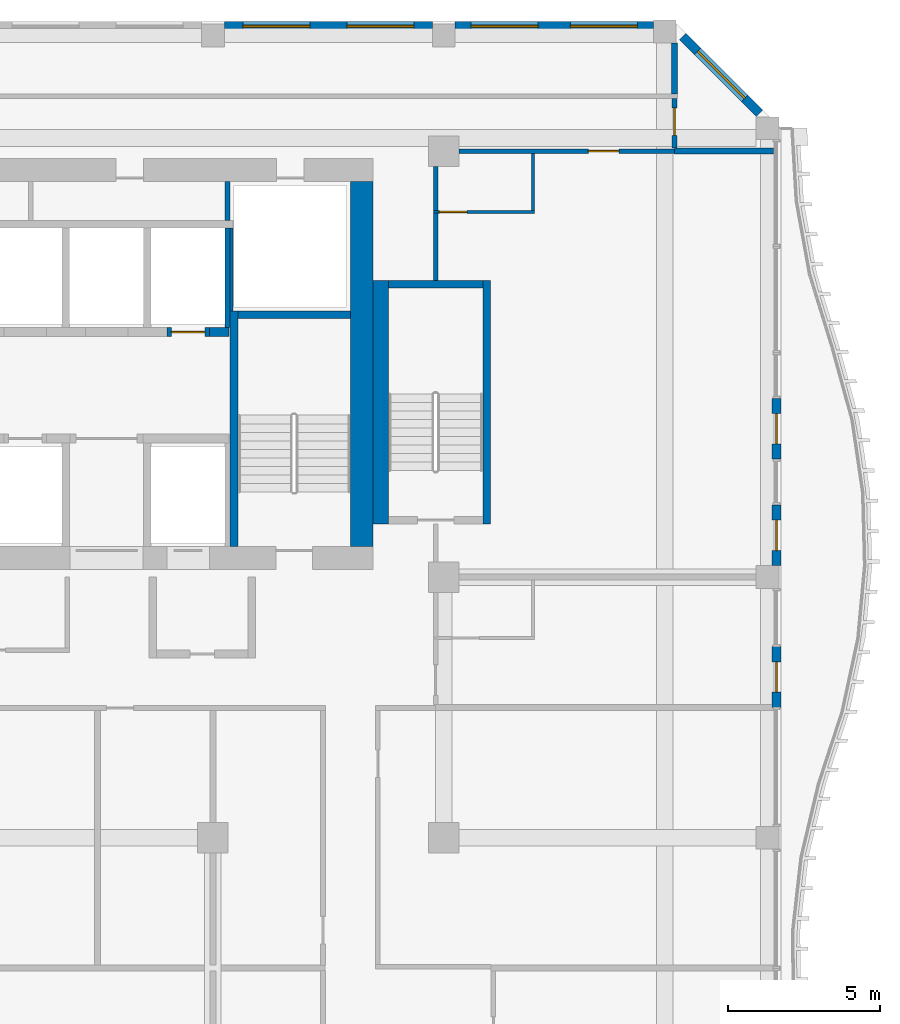
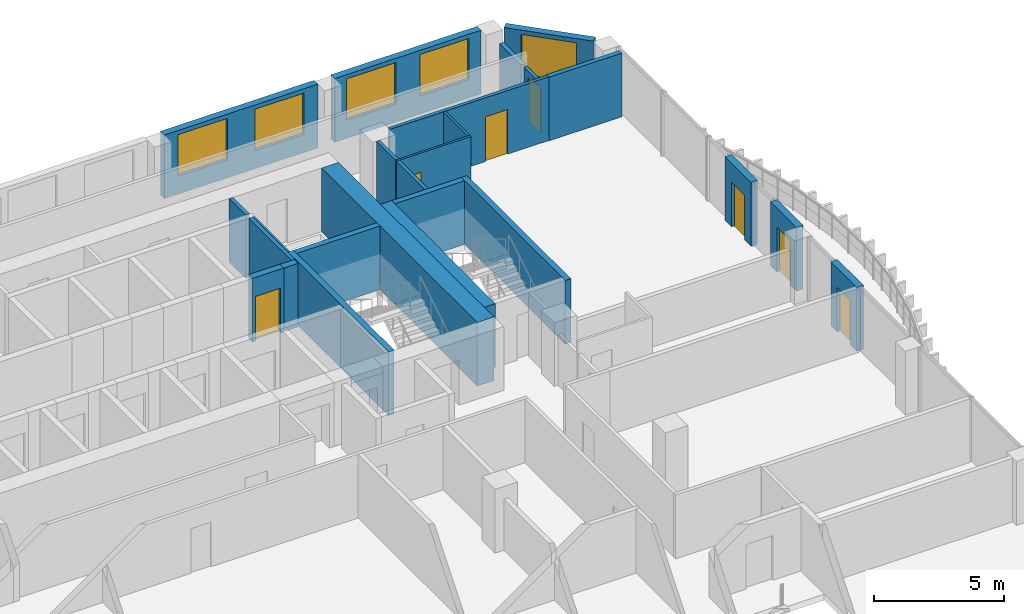
# One storey, part 16 of 22: 25 walls, 7 doors, 5 windows, 12 openings.
"""IFC4 building model written with IfcOpenShell, lengths in metres."""

from ifc_helpers import new_model, si_unit, direction, frame, frame_2d, origin, place, context, subcontext, project, spatial, rectangle, extrude, source, transform, mapped, material, layer, layer_set, type_object, element, fill, save


model = new_model("IFC4")

# Units and contexts
model_context = context("Model", 3, precision=1e-05, world=origin(), true_north=direction((0.0, 1.0)))
body_context = subcontext(model_context, "Body", "Model", "MODEL_VIEW")
ifc_project = project(units=[si_unit("LENGTHUNIT", "METRE"), si_unit("AREAUNIT", "SQUARE_METRE"), si_unit("VOLUMEUNIT", "CUBIC_METRE"), si_unit("PLANEANGLEUNIT", "RADIAN"), si_unit("MASSUNIT", "GRAM", prefix="KILO")], contexts=[model_context])

# Site, building, storey
site_placement = place(None, origin())
site = spatial("IfcSite", under=ifc_project, at=site_placement, CompositionType="ELEMENT")
building_placement = place(site_placement, origin())
building = spatial("IfcBuilding", under=site, at=building_placement, Name="Kilnfold Tower and Market Hall", CompositionType="ELEMENT")
storey_placement = place(building_placement, frame((0.0, 0.0, 220.300048828125)))
storey = spatial("IfcBuildingStorey", under=building, at=storey_placement, Name="L54", CompositionType="ELEMENT", Elevation=220.300048828125)

# Wall
ifc_material_1 = material(Name="Gypsum board on steel studs", Category="steel")
ifc_layer_1 = layer(ifc_material_1, 0.14990234375)
ifc_layer_set_1 = layer_set([ifc_layer_1], Name="Gypsum board on steel studs")
wall_type_1 = type_object("IfcWallType", Name="WALL CORRIDOR 150", PredefinedType="PARTITIONING", material=ifc_layer_set_1)
wall_1_placement = place(storey_placement, frame((19.89990234375, 17.75, 0.0), z_axis=(0.0, 0.0, 1.0), x_axis=(0.0, 1.0, 0.0)))
element("IfcWall", 1, at=wall_1_placement, inside=storey, type_object=wall_type_1, Name="Partition LY32.20", PredefinedType="PARTITIONING", context=body_context, shape_type="SweptSolid", body=[
    extrude(rectangle(XDim=2.2099609375, YDim=0.14990234375, at=frame_2d((1.10498046875, 0.0))), origin(), (0.0, 0.0, 1.0), 3.0),
])

# Wall, opening, door
wall_2_placement = place(storey_placement, frame((20.6669921875, 22.0, 0.0), z_axis=(0.0, 0.0, 1.0), x_axis=(1.0, 0.0, 0.0)))
wall_2 = element("IfcWall", 2, at=wall_2_placement, inside=storey, type_object=wall_type_1, Name="Partition LY32.22", PredefinedType="PARTITIONING", context=body_context, shape_type="SweptSolid", body=[
    extrude(rectangle(XDim=7.0830078125, YDim=0.14990234375, at=frame_2d((3.54150390625, 0.0))), origin(), (0.0, 0.0, 1.0), 3.0),
])
opening_1_placement = place(wall_2_placement, frame((4.25390625, 0.0, 0.0)))
opening_1 = element("IfcOpeningElement", 3, at=opening_1_placement, cuts=wall_2, Name="Opening D1", PredefinedType="OPENING", context=body_context, shape_type="SweptSolid", body=[
    extrude(rectangle(XDim=1.0, YDim=2.10009765625, at=frame_2d((0.5, 1.050048828125))), frame((0.0, 0.0849609375, 0.0), z_axis=(0.0, -1.0, 0.0), x_axis=(1.0, 0.0, 0.0)), (0.0, 0.0, 1.0), 0.169921875),
])
ifc_material_2 = material(Name="Timber veneer door leaf in steel frame", Category="steel")
door_type_1 = type_object("IfcDoorType", Name="DOOR ENTRY 1000 X2100", OperationType="NOTDEFINED", PredefinedType="DOOR", material=ifc_material_2)
door_1_placement = place(opening_1_placement, origin())
door_1 = element("IfcDoor", 4, at=door_1_placement, inside=storey, type_object=door_type_1, Name="Door D1", OperationType="SINGLE_SWING_LEFT", OverallHeight=2.10009765625, OverallWidth=1.0, PredefinedType="DOOR", context=body_context, shape_type="SweptSolid", body=[
    extrude(rectangle(XDim=1.0, YDim=2.10009765625, at=frame_2d((0.5, 1.050048828125))), frame((0.0, 0.02490234375, 0.0), z_axis=(0.0, -1.0, 0.0), x_axis=(1.0, 0.0, 0.0)), (0.0, 0.0, 1.0), 0.050048828125),
])
fill(opening_1, door_1)

# Wall
wall_3_placement = place(storey_placement, frame((19.89990234375, 20.0400390625, 0.0), z_axis=(0.0, 0.0, 1.0), x_axis=(0.0, 1.0, 0.0)))
element("IfcWall", 5, at=wall_3_placement, inside=storey, type_object=wall_type_1, Name="Partition LY32.23", PredefinedType="PARTITIONING", context=body_context, shape_type="SweptSolid", body=[
    extrude(rectangle(XDim=1.4599609375, YDim=0.14990234375, at=frame_2d((0.72998046875, 0.0))), origin(), (0.0, 0.0, 1.0), 3.0),
])

# Wall, opening, door
wall_4_placement = place(storey_placement, frame((27.75, 22.10009765625, 0.0), z_axis=(0.0, 0.0, 1.0), x_axis=(0.0, 1.0, 0.0)))
wall_4 = element("IfcWall", 6, at=wall_4_placement, inside=storey, type_object=wall_type_1, Name="Partition LY32.24", PredefinedType="PARTITIONING", context=body_context, shape_type="SweptSolid", body=[
    extrude(rectangle(XDim=1.625, YDim=0.14990234375, at=frame_2d((0.8125, 0.0))), origin(), (0.0, 0.0, 1.0), 2.39990234375),
])
opening_2_placement = place(wall_4_placement, frame((0.4169921875, 0.0, 0.0)))
opening_2 = element("IfcOpeningElement", 7, at=opening_2_placement, cuts=wall_4, Name="Opening D2", PredefinedType="OPENING", context=body_context, shape_type="SweptSolid", body=[
    extrude(rectangle(XDim=0.89990234375, YDim=2.10009765625, at=frame_2d((0.449951171875, 1.050048828125))), frame((0.0, 0.0849609375, 0.0), z_axis=(0.0, -1.0, 0.0), x_axis=(1.0, 0.0, 0.0)), (0.0, 0.0, 1.0), 0.169921875),
])
ifc_material_3 = material(Name="Timber veneer door leaf in steel frame", Category="steel")
door_type_2 = type_object("IfcDoorType", Name="DOOR ROOM 900 X2100", OperationType="NOTDEFINED", PredefinedType="DOOR", material=ifc_material_3)
door_2_placement = place(opening_2_placement, origin())
door_2 = element("IfcDoor", 8, at=door_2_placement, inside=storey, type_object=door_type_2, Name="Door D2", OperationType="SINGLE_SWING_LEFT", OverallHeight=2.10009765625, OverallWidth=0.89990234375, PredefinedType="DOOR", context=body_context, shape_type="SweptSolid", body=[
    extrude(rectangle(XDim=0.89990234375, YDim=2.10009765625, at=frame_2d((0.449951171875, 1.050048828125))), frame((0.0, 0.02490234375, 0.0), z_axis=(0.0, -1.0, 0.0), x_axis=(1.0, 0.0, 0.0)), (0.0, 0.0, 1.0), 0.050048828125),
])
fill(opening_2, door_2)

# Wall
ifc_material_4 = material(Name="Gypsum board on steel studs", Category="steel")
ifc_layer_2 = layer(ifc_material_4, 0.10009765625)
ifc_layer_set_2 = layer_set([ifc_layer_2], Name="Gypsum board on steel studs")
wall_type_2 = type_object("IfcWallType", Name="WALL PARTITION 100", PredefinedType="PARTITIONING", material=ifc_layer_set_2)
wall_5_placement = place(storey_placement, frame((23.10205078125, 20.050048828125, 0.0), z_axis=(0.0, 0.0, 1.0), x_axis=(0.0, 1.0, 0.0)))
element("IfcWall", 9, at=wall_5_placement, inside=storey, type_object=wall_type_2, Name="Partition LY32.81", PredefinedType="PARTITIONING", context=body_context, shape_type="SweptSolid", body=[
    extrude(rectangle(XDim=1.873046875, YDim=0.10009765625, at=frame_2d((0.9365234375, 0.0))), origin(), (0.0, 0.0, 1.0), 3.0),
])

# Wall, opening, door
wall_6_placement = place(storey_placement, frame((23.152099609375, 20.0, 0.0), z_axis=(0.0, 0.0, 1.0), x_axis=(-1.0, 0.0, 0.0)))
wall_6 = element("IfcWall", 10, at=wall_6_placement, inside=storey, type_object=wall_type_2, Name="Partition LY32.82", PredefinedType="PARTITIONING", context=body_context, shape_type="SweptSolid", body=[
    extrude(rectangle(XDim=3.3251953125, YDim=0.10009765625, at=frame_2d((1.66259765625, 0.0))), origin(), (0.0, 0.0, 1.0), 3.0),
])
opening_3_placement = place(wall_6_placement, frame((2.22509765625, 0.0, 0.0)))
opening_3 = element("IfcOpeningElement", 11, at=opening_3_placement, cuts=wall_6, Name="Opening D3", PredefinedType="OPENING", context=body_context, shape_type="SweptSolid", body=[
    extrude(rectangle(XDim=0.89990234375, YDim=2.10009765625, at=frame_2d((0.449951171875, 1.050048828125))), frame((0.0, 0.06005859375, 0.0), z_axis=(0.0, -1.0, 0.0), x_axis=(1.0, 0.0, 0.0)), (0.0, 0.0, 1.0), 0.1201171875),
])
ifc_material_5 = material(Name="Timber veneer door leaf in steel frame", Category="steel")
door_type_3 = type_object("IfcDoorType", Name="DOOR WC 900 X2100", OperationType="NOTDEFINED", PredefinedType="DOOR", material=ifc_material_5)
door_3_placement = place(opening_3_placement, origin())
door_3 = element("IfcDoor", 12, at=door_3_placement, inside=storey, type_object=door_type_3, Name="Door D3", OperationType="SINGLE_SWING_LEFT", OverallHeight=2.10009765625, OverallWidth=0.89990234375, PredefinedType="DOOR", context=body_context, shape_type="SweptSolid", body=[
    extrude(rectangle(XDim=0.89990234375, YDim=2.10009765625, at=frame_2d((0.449951171875, 1.050048828125))), frame((0.0, 0.02490234375, 0.0), z_axis=(0.0, -1.0, 0.0), x_axis=(1.0, 0.0, 0.0)), (0.0, 0.0, 1.0), 0.050048828125),
])
fill(opening_3, door_3)

# Walls
ifc_material_6 = material(Name="Gypsum board on steel studs", Category="steel")
ifc_layer_3 = layer(ifc_material_6, 0.199951171875)
ifc_layer_set_3 = layer_set([ifc_layer_3], Name="Gypsum board on steel studs")
wall_type_3 = type_object("IfcWallType", Name="WALL PARTY 200", PredefinedType="PARTITIONING", material=ifc_layer_set_3)
wall_7_placement = place(storey_placement, frame((27.751953125, 22.0, 0.0), z_axis=(0.0, 0.0, 1.0), x_axis=(1.0, 0.0, 0.0)))
element("IfcWall", 13, at=wall_7_placement, inside=storey, type_object=wall_type_3, Name="Partition LY32.83", PredefinedType="PARTITIONING", context=body_context, shape_type="SweptSolid", body=[
    extrude(rectangle(XDim=3.248046875, YDim=0.199951171875, at=frame_2d((1.6240234375, 0.0))), origin(), (0.0, 0.0, 1.0), 3.0),
])
wall_8_placement = place(storey_placement, frame((27.75, 25.556884765625, 0.0), z_axis=(0.0, 0.0, 1.0), x_axis=(0.0, -1.0, 0.0)))
element("IfcWall", 14, at=wall_8_placement, inside=storey, type_object=wall_type_3, Name="Partition LY32.84", PredefinedType="PARTITIONING", context=body_context, shape_type="SweptSolid", body=[
    extrude(rectangle(XDim=1.679931640625, YDim=0.199951171875, at=frame_2d((0.83984375, 0.0))), origin(), (0.0, 0.0, 1.0), 2.39990234375),
])
ifc_material_7 = material(Name="Concrete C60", Category="concrete")
ifc_layer_4 = layer(ifc_material_7, 0.25)
ifc_layer_set_4 = layer_set([ifc_layer_4], Name="Concrete C60")
wall_type_4 = type_object("IfcWallType", Name="CORE WALL 250 C60", PredefinedType="SHEAR", material=ifc_layer_set_4)
shared_shape_1 = source(origin(), body_context, "Body", "SweptSolid", [
    extrude(rectangle(XDim=7.75, YDim=0.25, at=frame_2d((3.875, 0.0))), origin(), (0.0, 0.0, 1.0), 3.0),
])
wall_9_placement = place(storey_placement, frame((13.27490234375, 9.0, 0.0), z_axis=(0.0, 0.0, 1.0), x_axis=(0.0, 1.0, 0.0)))
element("IfcWall", 15, at=wall_9_placement, inside=storey, type_object=wall_type_4, Name="Stair enclosure ST2", PredefinedType="SHEAR", context=body_context, shape_type="MappedRepresentation", body=[
    mapped(shared_shape_1, transform((0.0, 0.0, 0.0))),
])
shared_shape_2 = source(origin(), body_context, "Body", "SweptSolid", [
    extrude(rectangle(XDim=3.7001953125, YDim=0.25, at=frame_2d((1.85009765625, 0.0))), origin(), (0.0, 0.0, 1.0), 3.0),
])
wall_10_placement = place(storey_placement, frame((13.39990234375, 16.625, 0.0), z_axis=(0.0, 0.0, 1.0), x_axis=(1.0, 0.0, 0.0)))
element("IfcWall", 16, at=wall_10_placement, inside=storey, type_object=wall_type_4, Name="Stair enclosure ST2", PredefinedType="SHEAR", context=body_context, shape_type="MappedRepresentation", body=[
    mapped(shared_shape_2, transform((0.0, 0.0, 0.0))),
])
shared_shape_3 = source(origin(), body_context, "Body", "SweptSolid", [
    extrude(rectangle(XDim=8.0, YDim=0.25, at=frame_2d((4.0, 0.0))), origin(), (0.0, 0.0, 1.0), 3.0),
])
wall_11_placement = place(storey_placement, frame((21.574951171875, 9.75, 0.0), z_axis=(0.0, 0.0, 1.0), x_axis=(0.0, 1.0, 0.0)))
element("IfcWall", 17, at=wall_11_placement, inside=storey, type_object=wall_type_4, Name="Stair enclosure ST5", PredefinedType="SHEAR", context=body_context, shape_type="MappedRepresentation", body=[
    mapped(shared_shape_3, transform((0.0, 0.0, 0.0))),
])
shared_shape_4 = source(origin(), body_context, "Body", "SweptSolid", [
    extrude(rectangle(XDim=3.099853515625, YDim=0.25, at=frame_2d((1.5498046875, 0.0))), origin(), (0.0, 0.0, 1.0), 3.0),
])
wall_12_placement = place(storey_placement, frame((18.35009765625, 17.625, 0.0), z_axis=(0.0, 0.0, 1.0), x_axis=(1.0, 0.0, 0.0)))
element("IfcWall", 18, at=wall_12_placement, inside=storey, type_object=wall_type_4, Name="Stair enclosure ST5", PredefinedType="SHEAR", context=body_context, shape_type="MappedRepresentation", body=[
    mapped(shared_shape_4, transform((0.0, 0.0, 0.0))),
])
ifc_material_8 = material(Name="Concrete C60", Category="concrete")
ifc_layer_5 = layer(ifc_material_8, 0.300048828125)
ifc_layer_set_5 = layer_set([ifc_layer_5], Name="Concrete C60")
wall_type_5 = type_object("IfcWallType", Name="CORE WALL 300 C60", PredefinedType="SHEAR", material=ifc_layer_set_5)
shared_shape_5 = source(origin(), body_context, "Body", "SweptSolid", [
    extrude(rectangle(XDim=0.64013671875, YDim=0.300048828125, at=frame_2d((0.320068359375, 0.0))), origin(), (0.0, 0.0, 1.0), 3.0),
])
wall_13_placement = place(storey_placement, frame((12.469970703125, 16.050048828125, 0.0), z_axis=(0.0, 0.0, 1.0), x_axis=(1.0, 0.0, 0.0)))
element("IfcWall", 19, at=wall_13_placement, inside=storey, type_object=wall_type_5, Name="Core spine wall", PredefinedType="SHEAR", context=body_context, shape_type="MappedRepresentation", body=[
    mapped(shared_shape_5, transform((0.0, 0.0, 0.0))),
])
ifc_material_9 = material(Name="Concrete C60", Category="concrete")
ifc_layer_6 = layer(ifc_material_9, 0.75)
ifc_layer_set_6 = layer_set([ifc_layer_6], Name="Concrete C60")
wall_type_6 = type_object("IfcWallType", Name="CORE WALL 750 C60", PredefinedType="SHEAR", material=ifc_layer_set_6)
shared_shape_6 = source(origin(), body_context, "Body", "SweptSolid", [
    extrude(rectangle(XDim=12.0, YDim=0.75, at=frame_2d((6.0, 0.0))), origin(), (0.0, 0.0, 1.0), 3.0),
])
wall_14_placement = place(storey_placement, frame((17.47509765625, 9.0, 0.0), z_axis=(0.0, 0.0, 1.0), x_axis=(0.0, 1.0, 0.0)))
element("IfcWall", 20, at=wall_14_placement, inside=storey, type_object=wall_type_6, Name="Core outer wall east", PredefinedType="SHEAR", context=body_context, shape_type="MappedRepresentation", body=[
    mapped(shared_shape_6, transform((0.0, 0.0, 0.0))),
])
ifc_material_10 = material(Name="Concrete C60", Category="concrete")
ifc_layer_7 = layer(ifc_material_10, 0.5)
ifc_layer_set_7 = layer_set([ifc_layer_7], Name="Concrete C60")
wall_type_7 = type_object("IfcWallType", Name="CORE WALL 500 C60", PredefinedType="SHEAR", material=ifc_layer_set_7)
shared_shape_7 = source(origin(), body_context, "Body", "SweptSolid", [
    extrude(rectangle(XDim=8.0, YDim=0.5, at=frame_2d((4.0, 0.0))), origin(), (0.0, 0.0, 1.0), 3.0),
])
wall_15_placement = place(storey_placement, frame((18.10009765625, 9.75, 0.0), z_axis=(0.0, 0.0, 1.0), x_axis=(0.0, 1.0, 0.0)))
element("IfcWall", 21, at=wall_15_placement, inside=storey, type_object=wall_type_7, Name="Stair enclosure ST5", PredefinedType="SHEAR", context=body_context, shape_type="MappedRepresentation", body=[
    mapped(shared_shape_7, transform((0.0, 0.0, 0.0))),
])

# Wall, opening, door
ifc_material_11 = material(Name="Precast concrete C50/60", Category="concrete")
ifc_layer_8 = layer(ifc_material_11, 0.300048828125)
ifc_layer_set_8 = layer_set([ifc_layer_8], Name="Precast concrete C50/60")
wall_type_8 = type_object("IfcWallType", Name="PRECAST WALL 300", PredefinedType="SOLIDWALL", material=ifc_layer_set_8)
shared_shape_8 = source(origin(), body_context, "Body", "SweptSolid", [
    extrude(rectangle(XDim=2.0, YDim=0.300048828125, at=frame_2d((1.0, 0.0))), origin(), (0.0, 0.0, 1.0), 3.0),
])
wall_16_placement = place(storey_placement, frame((31.10009765625, 3.71875, 0.0), z_axis=(0.0, 0.0, 1.0), x_axis=(0.0, 1.0, 0.0)))
wall_16 = element("IfcWall", 22, at=wall_16_placement, inside=storey, type_object=wall_type_8, Name="External wall L54 E", PredefinedType="SOLIDWALL", context=body_context, shape_type="MappedRepresentation", body=[
    mapped(shared_shape_8, transform((0.0, 0.0, 0.0))),
])
opening_4_placement = place(wall_16_placement, frame((0.5, 0.0, 0.0)))
opening_4 = element("IfcOpeningElement", 23, at=opening_4_placement, cuts=wall_16, Name="Opening BD1", PredefinedType="OPENING", context=body_context, shape_type="SweptSolid", body=[
    extrude(rectangle(XDim=1.0, YDim=2.10009765625, at=frame_2d((0.5, 1.050048828125))), frame((0.0, 0.16015625, 0.0), z_axis=(0.0, -1.0, 0.0), x_axis=(1.0, 0.0, 0.0)), (0.0, 0.0, 1.0), 0.320068359375),
])
ifc_material_12 = material(Name="Aluminium frame and double glazing", Category="aluminium")
door_type_4 = type_object("IfcDoorType", Name="BALCONY DOOR 1000X2100", OperationType="NOTDEFINED", PredefinedType="DOOR", material=ifc_material_12)
door_4_placement = place(opening_4_placement, origin())
door_4 = element("IfcDoor", 24, at=door_4_placement, inside=storey, type_object=door_type_4, Name="Balcony door BD1 L54 E-2", OperationType="SINGLE_SWING_RIGHT", OverallHeight=2.10009765625, OverallWidth=1.0, PredefinedType="DOOR", context=body_context, shape_type="SweptSolid", body=[
    extrude(rectangle(XDim=1.0, YDim=2.10009765625, at=frame_2d((0.5, 1.050048828125))), frame((0.0, 0.02490234375, 0.0), z_axis=(0.0, -1.0, 0.0), x_axis=(1.0, 0.0, 0.0)), (0.0, 0.0, 1.0), 0.050048828125),
])
fill(opening_4, door_4)

wall_17_placement = place(storey_placement, frame((31.10009765625, 8.375, 0.0), z_axis=(0.0, 0.0, 1.0), x_axis=(0.0, 1.0, 0.0)))
wall_17 = element("IfcWall", 25, at=wall_17_placement, inside=storey, type_object=wall_type_8, Name="External wall L54 E", PredefinedType="SOLIDWALL", context=body_context, shape_type="MappedRepresentation", body=[
    mapped(shared_shape_8, transform((0.0, 0.0, 0.0))),
])
opening_5_placement = place(wall_17_placement, frame((0.5, 0.0, 0.0)))
opening_5 = element("IfcOpeningElement", 26, at=opening_5_placement, cuts=wall_17, Name="Opening BD1", PredefinedType="OPENING", context=body_context, shape_type="SweptSolid", body=[
    extrude(rectangle(XDim=1.0, YDim=2.10009765625, at=frame_2d((0.5, 1.050048828125))), frame((0.0, 0.16015625, 0.0), z_axis=(0.0, -1.0, 0.0), x_axis=(1.0, 0.0, 0.0)), (0.0, 0.0, 1.0), 0.320068359375),
])
door_5_placement = place(opening_5_placement, origin())
door_5 = element("IfcDoor", 27, at=door_5_placement, inside=storey, type_object=door_type_4, Name="Balcony door BD1 L54 E-1", OperationType="SINGLE_SWING_LEFT", OverallHeight=2.10009765625, OverallWidth=1.0, PredefinedType="DOOR", context=body_context, shape_type="SweptSolid", body=[
    extrude(rectangle(XDim=1.0, YDim=2.10009765625, at=frame_2d((0.5, 1.050048828125))), frame((0.0, 0.02490234375, 0.0), z_axis=(0.0, -1.0, 0.0), x_axis=(1.0, 0.0, 0.0)), (0.0, 0.0, 1.0), 0.050048828125),
])
fill(opening_5, door_5)

wall_18_placement = place(storey_placement, frame((31.10009765625, 11.875, 0.0), z_axis=(0.0, 0.0, 1.0), x_axis=(0.0, 1.0, 0.0)))
wall_18 = element("IfcWall", 28, at=wall_18_placement, inside=storey, type_object=wall_type_8, Name="External wall L54 E", PredefinedType="SOLIDWALL", context=body_context, shape_type="MappedRepresentation", body=[
    mapped(shared_shape_8, transform((0.0, 0.0, 0.0))),
])
opening_6_placement = place(wall_18_placement, frame((0.5, 0.0, 0.0)))
opening_6 = element("IfcOpeningElement", 29, at=opening_6_placement, cuts=wall_18, Name="Opening BD1", PredefinedType="OPENING", context=body_context, shape_type="SweptSolid", body=[
    extrude(rectangle(XDim=1.0, YDim=2.10009765625, at=frame_2d((0.5, 1.050048828125))), frame((0.0, 0.16015625, 0.0), z_axis=(0.0, -1.0, 0.0), x_axis=(1.0, 0.0, 0.0)), (0.0, 0.0, 1.0), 0.320068359375),
])
door_6_placement = place(opening_6_placement, origin())
door_6 = element("IfcDoor", 30, at=door_6_placement, inside=storey, type_object=door_type_4, Name="Balcony door BD1 L54 E-2", OperationType="SINGLE_SWING_RIGHT", OverallHeight=2.10009765625, OverallWidth=1.0, PredefinedType="DOOR", context=body_context, shape_type="SweptSolid", body=[
    extrude(rectangle(XDim=1.0, YDim=2.10009765625, at=frame_2d((0.5, 1.050048828125))), frame((0.0, 0.02490234375, 0.0), z_axis=(0.0, -1.0, 0.0), x_axis=(1.0, 0.0, 0.0)), (0.0, 0.0, 1.0), 0.050048828125),
])
fill(opening_6, door_6)

# Wall, opening, window
shared_shape_9 = source(origin(), body_context, "Body", "SweptSolid", [
    extrude(rectangle(XDim=3.571044921875, YDim=0.300048828125, at=frame_2d((1.78564453125, 0.0))), origin(), (0.0, 0.0, 1.0), 3.0),
])
wall_19_placement = place(storey_placement, frame((30.5439453125, 23.243896484375, 0.0), z_axis=(0.0, 0.0, 1.0), x_axis=(-0.707140964879, 0.707072595841, 0.0)))
wall_19 = element("IfcWall", 31, at=wall_19_placement, inside=storey, type_object=wall_type_8, Name="External wall L54 NE", PredefinedType="SOLIDWALL", context=body_context, shape_type="MappedRepresentation", body=[
    mapped(shared_shape_9, transform((0.0, 0.0, 0.0))),
])
opening_7_placement = place(wall_19_placement, frame((0.685546875, 0.0, 0.85009765625)))
opening_7 = element("IfcOpeningElement", 32, at=opening_7_placement, cuts=wall_19, Name="Opening W2", PredefinedType="OPENING", context=body_context, shape_type="SweptSolid", body=[
    extrude(rectangle(XDim=2.199951171875, YDim=1.949951171875, at=frame_2d((1.10009765625, 0.97509765625))), frame((0.0, 0.16015625, 0.0), z_axis=(0.0, -1.0, 0.0), x_axis=(1.0, 0.0, 0.0)), (0.0, 0.0, 1.0), 0.320068359375),
])
ifc_material_13 = material(Name="Aluminium frame and double glazing", Category="aluminium")
window_type = type_object("IfcWindowType", Name="WINDOW W2 2200X1950", PartitioningType="SINGLE_PANEL", PredefinedType="WINDOW", material=ifc_material_13)
window_1_placement = place(opening_7_placement, origin())
window_1 = element("IfcWindow", 33, at=window_1_placement, inside=storey, type_object=window_type, Name="Window W2 L54 NE-1", OverallHeight=1.949951171875, OverallWidth=2.199951171875, PartitioningType="SINGLE_PANEL", PredefinedType="WINDOW", context=body_context, shape_type="SweptSolid", body=[
    extrude(rectangle(XDim=2.199951171875, YDim=1.949951171875, at=frame_2d((1.10009765625, 0.97509765625))), frame((0.0, 0.030029296875, 0.0), z_axis=(0.0, -1.0, 0.0), x_axis=(1.0, 0.0, 0.0)), (0.0, 0.0, 1.0), 0.06005859375),
])
fill(opening_7, window_1)

# Wall, openings, windows
shared_shape_10 = source(origin(), body_context, "Body", "SweptSolid", [
    extrude(rectangle(XDim=6.51513671875, YDim=0.300048828125, at=frame_2d((3.257568359375, 0.0))), origin(), (0.0, 0.0, 1.0), 3.0),
])
wall_20_placement = place(storey_placement, frame((27.056884765625, 26.10009765625, 0.0), z_axis=(0.0, 0.0, 1.0), x_axis=(-1.0, 0.0, 0.0)))
wall_20 = element("IfcWall", 34, at=wall_20_placement, inside=storey, type_object=wall_type_8, Name="External wall L54 N", PredefinedType="SOLIDWALL", context=body_context, shape_type="MappedRepresentation", body=[
    mapped(shared_shape_10, transform((0.0, 0.0, 0.0))),
])
opening_8_placement = place(wall_20_placement, frame((0.52880859375, 0.0, 0.85009765625)))
opening_8 = element("IfcOpeningElement", 35, at=opening_8_placement, cuts=wall_20, Name="Opening W2", PredefinedType="OPENING", context=body_context, shape_type="SweptSolid", body=[
    extrude(rectangle(XDim=2.199951171875, YDim=1.949951171875, at=frame_2d((1.10009765625, 0.97509765625))), frame((0.0, 0.16015625, 0.0), z_axis=(0.0, -1.0, 0.0), x_axis=(1.0, 0.0, 0.0)), (0.0, 0.0, 1.0), 0.320068359375),
])
opening_9_placement = place(wall_20_placement, frame((3.786376953125, 0.0, 0.85009765625)))
opening_9 = element("IfcOpeningElement", 36, at=opening_9_placement, cuts=wall_20, Name="Opening W2", PredefinedType="OPENING", context=body_context, shape_type="SweptSolid", body=[
    extrude(rectangle(XDim=2.199951171875, YDim=1.949951171875, at=frame_2d((1.10009765625, 0.97509765625))), frame((0.0, 0.16015625, 0.0), z_axis=(0.0, -1.0, 0.0), x_axis=(1.0, 0.0, 0.0)), (0.0, 0.0, 1.0), 0.320068359375),
])
window_2_placement = place(opening_8_placement, origin())
window_2 = element("IfcWindow", 37, at=window_2_placement, inside=storey, type_object=window_type, Name="Window W2 L54 N-1", OverallHeight=1.949951171875, OverallWidth=2.199951171875, PartitioningType="SINGLE_PANEL", PredefinedType="WINDOW", context=body_context, shape_type="SweptSolid", body=[
    extrude(rectangle(XDim=2.199951171875, YDim=1.949951171875, at=frame_2d((1.10009765625, 0.97509765625))), frame((0.0, 0.030029296875, 0.0), z_axis=(0.0, -1.0, 0.0), x_axis=(1.0, 0.0, 0.0)), (0.0, 0.0, 1.0), 0.06005859375),
])
fill(opening_8, window_2)
window_3_placement = place(opening_9_placement, origin())
window_3 = element("IfcWindow", 38, at=window_3_placement, inside=storey, type_object=window_type, Name="Window W2 L54 N-2", OverallHeight=1.949951171875, OverallWidth=2.199951171875, PartitioningType="SINGLE_PANEL", PredefinedType="WINDOW", context=body_context, shape_type="SweptSolid", body=[
    extrude(rectangle(XDim=2.199951171875, YDim=1.949951171875, at=frame_2d((1.10009765625, 0.97509765625))), frame((0.0, 0.030029296875, 0.0), z_axis=(0.0, -1.0, 0.0), x_axis=(1.0, 0.0, 0.0)), (0.0, 0.0, 1.0), 0.06005859375),
])
fill(opening_9, window_3)

shared_shape_11 = source(origin(), body_context, "Body", "SweptSolid", [
    extrude(rectangle(XDim=6.83349609375, YDim=0.300048828125, at=frame_2d((3.416748046875, 0.0))), origin(), (0.0, 0.0, 1.0), 3.0),
])
wall_21_placement = place(storey_placement, frame((19.791748046875, 26.10009765625, 0.0), z_axis=(0.0, 0.0, 1.0), x_axis=(-1.0, 0.0, 0.0)))
wall_21 = element("IfcWall", 39, at=wall_21_placement, inside=storey, type_object=wall_type_8, Name="External wall L54 N", PredefinedType="SOLIDWALL", context=body_context, shape_type="MappedRepresentation", body=[
    mapped(shared_shape_11, transform((0.0, 0.0, 0.0))),
])
opening_10_placement = place(wall_21_placement, frame((0.6083984375, 0.0, 0.85009765625)))
opening_10 = element("IfcOpeningElement", 40, at=opening_10_placement, cuts=wall_21, Name="Opening W2", PredefinedType="OPENING", context=body_context, shape_type="SweptSolid", body=[
    extrude(rectangle(XDim=2.199951171875, YDim=1.949951171875, at=frame_2d((1.10009765625, 0.97509765625))), frame((0.0, 0.16015625, 0.0), z_axis=(0.0, -1.0, 0.0), x_axis=(1.0, 0.0, 0.0)), (0.0, 0.0, 1.0), 0.320068359375),
])
opening_11_placement = place(wall_21_placement, frame((4.02490234375, 0.0, 0.85009765625)))
opening_11 = element("IfcOpeningElement", 41, at=opening_11_placement, cuts=wall_21, Name="Opening W2", PredefinedType="OPENING", context=body_context, shape_type="SweptSolid", body=[
    extrude(rectangle(XDim=2.199951171875, YDim=1.949951171875, at=frame_2d((1.10009765625, 0.97509765625))), frame((0.0, 0.16015625, 0.0), z_axis=(0.0, -1.0, 0.0), x_axis=(1.0, 0.0, 0.0)), (0.0, 0.0, 1.0), 0.320068359375),
])
window_4_placement = place(opening_10_placement, origin())
window_4 = element("IfcWindow", 42, at=window_4_placement, inside=storey, type_object=window_type, Name="Window W2 L54 N-1", OverallHeight=1.949951171875, OverallWidth=2.199951171875, PartitioningType="SINGLE_PANEL", PredefinedType="WINDOW", context=body_context, shape_type="SweptSolid", body=[
    extrude(rectangle(XDim=2.199951171875, YDim=1.949951171875, at=frame_2d((1.10009765625, 0.97509765625))), frame((0.0, 0.030029296875, 0.0), z_axis=(0.0, -1.0, 0.0), x_axis=(1.0, 0.0, 0.0)), (0.0, 0.0, 1.0), 0.06005859375),
])
fill(opening_10, window_4)
window_5_placement = place(opening_11_placement, origin())
window_5 = element("IfcWindow", 43, at=window_5_placement, inside=storey, type_object=window_type, Name="Window W2 L54 N-2", OverallHeight=1.949951171875, OverallWidth=2.199951171875, PartitioningType="SINGLE_PANEL", PredefinedType="WINDOW", context=body_context, shape_type="SweptSolid", body=[
    extrude(rectangle(XDim=2.199951171875, YDim=1.949951171875, at=frame_2d((1.10009765625, 0.97509765625))), frame((0.0, 0.030029296875, 0.0), z_axis=(0.0, -1.0, 0.0), x_axis=(1.0, 0.0, 0.0)), (0.0, 0.0, 1.0), 0.06005859375),
])
fill(opening_11, window_5)

# Wall, opening, door
ifc_material_14 = material(Name="Gypsum shaft wall system")
ifc_layer_9 = layer(ifc_material_14, 0.300048828125)
ifc_layer_set_9 = layer_set([ifc_layer_9], Name="Gypsum shaft wall system")
wall_type_9 = type_object("IfcWallType", Name="SHAFT WALL 300", PredefinedType="PARTITIONING", material=ifc_layer_set_9)
shared_shape_12 = source(origin(), body_context, "Body", "SweptSolid", [
    extrude(rectangle(XDim=1.39990234375, YDim=0.300048828125, at=frame_2d((0.699951171875, 0.0))), origin(), (0.0, 0.0, 1.0), 3.0),
])
wall_22_placement = place(storey_placement, frame((11.070068359375, 16.050048828125, 0.0), z_axis=(0.0, 0.0, 1.0), x_axis=(1.0, 0.0, 0.0)))
wall_22 = element("IfcWall", 44, at=wall_22_placement, inside=storey, type_object=wall_type_9, Name="Lift shaft front wall", PredefinedType="PARTITIONING", context=body_context, shape_type="MappedRepresentation", body=[
    mapped(shared_shape_12, transform((0.0, 0.0, 0.0))),
])
opening_12_placement = place(wall_22_placement, frame((0.14990234375, 0.0, 0.0)))
opening_12 = element("IfcOpeningElement", 45, at=opening_12_placement, cuts=wall_22, Name="Opening LD2", PredefinedType="OPENING", context=body_context, shape_type="SweptSolid", body=[
    extrude(rectangle(XDim=1.10009765625, YDim=2.10009765625, at=frame_2d((0.550048828125, 1.050048828125))), frame((0.0, 0.16015625, 0.0), z_axis=(0.0, -1.0, 0.0), x_axis=(1.0, 0.0, 0.0)), (0.0, 0.0, 1.0), 0.320068359375),
])
ifc_material_15 = material(Name="Steel door set with fire-resisting leaf", Category="steel")
door_type_5 = type_object("IfcDoorType", Name="LANDING DOOR 1100X2100", OperationType="NOTDEFINED", PredefinedType="DOOR", material=ifc_material_15)
door_7_placement = place(opening_12_placement, origin())
door_7 = element("IfcDoor", 46, at=door_7_placement, inside=storey, type_object=door_type_5, Name="Landing door MR6", OperationType="DOUBLE_DOOR_SLIDING", OverallHeight=2.10009765625, OverallWidth=1.10009765625, PredefinedType="DOOR", context=body_context, shape_type="SweptSolid", body=[
    extrude(rectangle(XDim=1.10009765625, YDim=2.10009765625, at=frame_2d((0.550048828125, 1.050048828125))), frame((0.0, 0.02490234375, 0.0), z_axis=(0.0, -1.0, 0.0), x_axis=(1.0, 0.0, 0.0)), (0.0, 0.0, 1.0), 0.050048828125),
])
fill(opening_12, door_7)

# Walls
ifc_material_16 = material(Name="Gypsum shaft wall system")
ifc_layer_10 = layer(ifc_material_16, 0.1650390625)
ifc_layer_set_10 = layer_set([ifc_layer_10], Name="Gypsum shaft wall system")
wall_type_10 = type_object("IfcWallType", Name="SHAFT WALL 165", PredefinedType="PARTITIONING", material=ifc_layer_set_10)
shared_shape_13 = source(origin(), body_context, "Body", "SweptSolid", [
    extrude(rectangle(XDim=3.275146484375, YDim=0.1650390625, at=frame_2d((1.6376953125, 0.0))), origin(), (0.0, 0.0, 1.0), 3.0),
])
wall_23_placement = place(storey_placement, frame((13.0673828125, 16.199951171875, 0.0), z_axis=(0.0, 0.0, 1.0), x_axis=(0.0, 1.0, 0.0)))
element("IfcWall", 47, at=wall_23_placement, inside=storey, type_object=wall_type_10, Name="Lift shaft wall", PredefinedType="PARTITIONING", context=body_context, shape_type="MappedRepresentation", body=[
    mapped(shared_shape_13, transform((0.0, 0.0, 0.0))),
])
shared_shape_14 = source(origin(), body_context, "Body", "SweptSolid", [
    extrude(rectangle(XDim=1.27490234375, YDim=0.1650390625, at=frame_2d((0.637451171875, 0.0))), origin(), (0.0, 0.0, 1.0), 3.0),
])
wall_24_placement = place(storey_placement, frame((13.0673828125, 19.72509765625, 0.0), z_axis=(0.0, 0.0, 1.0), x_axis=(0.0, 1.0, 0.0)))
element("IfcWall", 48, at=wall_24_placement, inside=storey, type_object=wall_type_10, Name="Lift shaft wall", PredefinedType="PARTITIONING", context=body_context, shape_type="MappedRepresentation", body=[
    mapped(shared_shape_14, transform((0.0, 0.0, 0.0))),
])
ifc_material_17 = material(Name="Gypsum shaft wall system")
ifc_layer_11 = layer(ifc_material_17, 0.0849609375)
ifc_layer_set_11 = layer_set([ifc_layer_11], Name="Gypsum shaft wall system")
wall_type_11 = type_object("IfcWallType", Name="SHAFT WALL 85", PredefinedType="PARTITIONING", material=ifc_layer_set_11)
shared_shape_15 = source(origin(), body_context, "Body", "SweptSolid", [
    extrude(rectangle(XDim=2.72509765625, YDim=0.0849609375, at=frame_2d((1.362548828125, 0.0))), origin(), (0.0, 0.0, 1.0), 3.0),
])
wall_25_placement = place(storey_placement, frame((13.1923828125, 16.75, 0.0), z_axis=(0.0, 0.0, 1.0), x_axis=(0.0, 1.0, 0.0)))
element("IfcWall", 49, at=wall_25_placement, inside=storey, type_object=wall_type_11, Name="Lift shaft wall", PredefinedType="PARTITIONING", context=body_context, shape_type="MappedRepresentation", body=[
    mapped(shared_shape_15, transform((0.0, 0.0, 0.0))),
])

save(model, "model.ifc")
